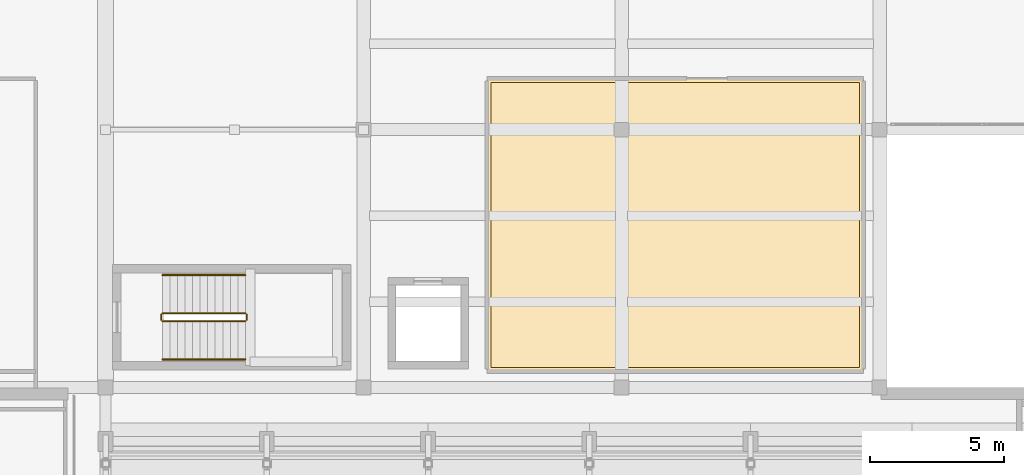
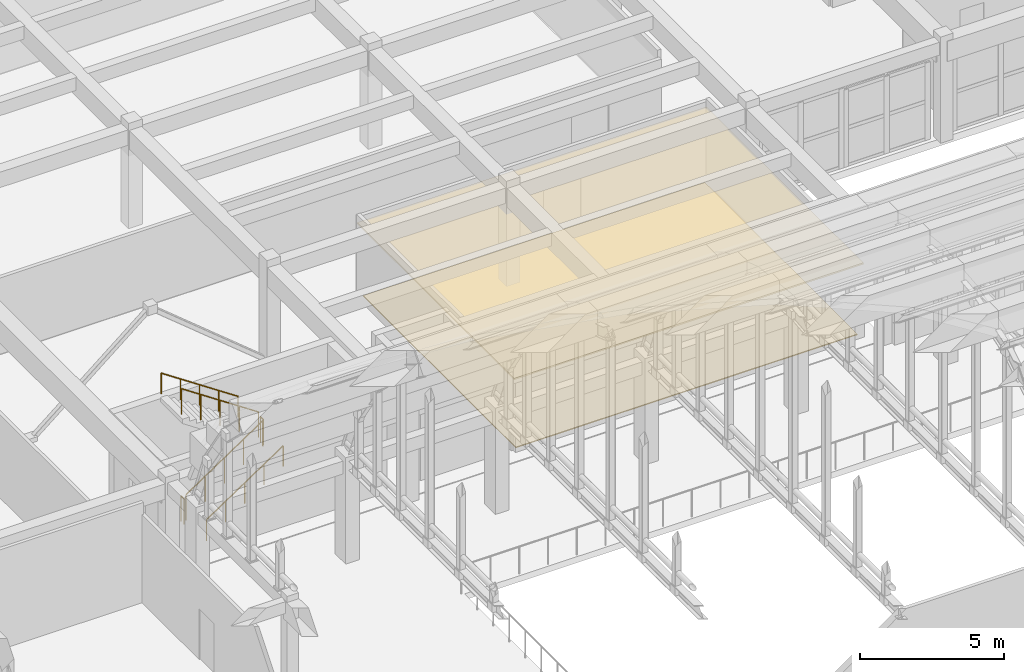
# One storey, part 81 of 91: 6 railings, 2 coverings.
"""IFC4 building model written with IfcOpenShell, lengths in metres."""

from ifc_helpers import new_model, si_unit, direction, frame, origin, origin_2d, place, context, subcontext, project, spatial, polyline, circle, outline, extrude, material, layer, layer_set, type_object, element, save


model = new_model("IFC4")

# Units and contexts
model_context = context("Model", 3, precision=1e-05, world=origin(), true_north=direction((0.0, 1.0)))
body_context = subcontext(model_context, "Body", "Model", "MODEL_VIEW")
ifc_project = project(units=[si_unit("LENGTHUNIT", "METRE"), si_unit("AREAUNIT", "SQUARE_METRE"), si_unit("VOLUMEUNIT", "CUBIC_METRE"), si_unit("PLANEANGLEUNIT", "RADIAN"), si_unit("MASSUNIT", "GRAM", prefix="KILO")], contexts=[model_context])

# Site, building, storey
site_placement = place(None, origin())
site = spatial("IfcSite", under=ifc_project, at=site_placement, CompositionType="ELEMENT")
building_placement = place(site_placement, origin())
building = spatial("IfcBuilding", under=site, at=building_placement, Name="Tarnavel Promenade Courthouse", CompositionType="ELEMENT")
storey_placement = place(building_placement, frame((0.0, 0.0, 9.89990234375)))
storey = spatial("IfcBuildingStorey", under=building, at=storey_placement, Name="L03", CompositionType="ELEMENT", Elevation=9.89990234375)

# Railings
ifc_material_1 = material(Name="Brushed Bronze Tubular Stair Handrail")
railing_type_1 = type_object("IfcRailingType", Name="Brushed Bronze Tubular Stair Handrail (RL-HND-0900)", PredefinedType="HANDRAIL", material=ifc_material_1)
railing_1_placement = place(storey_placement, frame((11.719970703125, 38.25, 0.1875)))
element("IfcRailing", 1, at=railing_1_placement, inside=storey, type_object=railing_type_1, Name="L03 ST-05 stair handrail 1", PredefinedType="HANDRAIL", context=body_context, shape_type="SweptSolid", body=[
    extrude(circle(Radius=0.02392578125, at=origin_2d()), frame((0.0, 0.0, 0.8759765625), z_axis=(0.830913701846, 0.0, 0.55640131208), x_axis=(0.0, 1.0, 0.0)), (0.0, 0.0, 1.0), 3.706787109375),
    extrude(circle(Radius=0.02099609375, at=origin_2d()), origin(), (0.0, 0.0, 1.0), 0.851806640625),
    extrude(circle(Radius=0.02099609375, at=origin_2d()), frame((0.77001953125, 0.0, 0.515625)), (0.0, 0.0, 1.0), 0.851806640625),
    extrude(circle(Radius=0.02099609375, at=origin_2d()), frame((1.5400390625, 0.0, 1.03125)), (0.0, 0.0, 1.0), 0.851806640625),
    extrude(circle(Radius=0.02099609375, at=origin_2d()), frame((2.31005859375, 0.0, 1.546875)), (0.0, 0.0, 1.0), 0.851806640625),
    extrude(circle(Radius=0.02099609375, at=origin_2d()), frame((3.080078125, 0.0, 2.0625)), (0.0, 0.0, 1.0), 0.851806640625),
])
railing_2_placement = place(storey_placement, frame((14.800048828125, 41.389892578125, 2.4375)))
element("IfcRailing", 2, at=railing_2_placement, inside=storey, type_object=railing_type_1, Name="L03 ST-05 stair handrail 2", PredefinedType="HANDRAIL", context=body_context, shape_type="SweptSolid", body=[
    extrude(circle(Radius=0.02392578125, at=origin_2d()), frame((0.0, 0.0, 0.8759765625), z_axis=(-0.830913701846, 0.0, 0.55640131208), x_axis=(0.0, -1.0, 0.0)), (0.0, 0.0, 1.0), 3.706787109375),
    extrude(circle(Radius=0.02099609375, at=origin_2d()), origin(), (0.0, 0.0, 1.0), 0.851806640625),
    extrude(circle(Radius=0.02099609375, at=origin_2d()), frame((-0.77001953125, 0.0, 0.515625)), (0.0, 0.0, 1.0), 0.851806640625),
    extrude(circle(Radius=0.02099609375, at=origin_2d()), frame((-1.5400390625, 0.0, 1.03125)), (0.0, 0.0, 1.0), 0.851806640625),
    extrude(circle(Radius=0.02099609375, at=origin_2d()), frame((-2.31005859375, 0.0, 1.546875)), (0.0, 0.0, 1.0), 0.851806640625),
    extrude(circle(Radius=0.02099609375, at=origin_2d()), frame((-3.080078125, 0.0, 2.0625)), (0.0, 0.0, 1.0), 0.851806640625),
])

# Covering
ifc_material_2 = material(Name="Honed Khoriatis Marble and Terrazzo Civic Flooring", Category="masonry")
ifc_layer_1 = layer(ifc_material_2, 0.0400390625)
ifc_layer_set_1 = layer_set([ifc_layer_1], Name="Honed Khoriatis Marble and Terrazzo Civic Flooring")
covering_type_1 = type_object("IfcCoveringType", Name="Honed Khoriatis Marble and Terrazzo Civic Flooring (COV-FLR-TRZ-40)", PredefinedType="FLOORING", material=ifc_layer_set_1)
covering_1_placement = place(storey_placement, origin())
element("IfcCovering", 3, at=covering_1_placement, inside=storey, type_object=covering_type_1, Name="L03 Law Library Reading Room North Carrels Architectural Flooring 0020", PredefinedType="FLOORING", context=body_context, shape_type="SweptSolid", body=[
    extrude(outline(polyline([(23.949951171875, 37.949951171875), (37.64990234375, 37.949951171875), (37.64990234375, 48.550048828125), (23.949951171875, 48.550048828125), (23.949951171875, 37.949951171875)])), origin(), (0.0, 0.0, 1.0), 0.0400390625),
])

# Railings
ifc_material_3 = material(Name="Painted Architectural Steel Core Stair Guardrail", Category="steel")
railing_type_2 = type_object("IfcRailingType", Name="Painted Architectural Steel Core Stair Guardrail (RL-GRD-1100)", PredefinedType="GUARDRAIL", material=ifc_material_3)
railing_3_placement = place(storey_placement, frame((11.719970703125, 39.669921875, 0.1875)))
element("IfcRailing", 4, at=railing_3_placement, inside=storey, type_object=railing_type_2, Name="L03 ST-05 stair guard 1", PredefinedType="GUARDRAIL", context=body_context, shape_type="SweptSolid", body=[
    extrude(circle(Radius=0.02392578125, at=origin_2d()), frame((0.0, 0.0, 1.076171875), z_axis=(0.830913701846, 0.0, 0.55640131208), x_axis=(0.0, 1.0, 0.0)), (0.0, 0.0, 1.0), 3.706787109375),
    extrude(circle(Radius=0.02099609375, at=origin_2d()), origin(), (0.0, 0.0, 1.0), 1.052001953125),
    extrude(circle(Radius=0.02099609375, at=origin_2d()), frame((0.77001953125, 0.0, 0.515625)), (0.0, 0.0, 1.0), 1.052001953125),
    extrude(circle(Radius=0.02099609375, at=origin_2d()), frame((1.5400390625, 0.0, 1.03125)), (0.0, 0.0, 1.0), 1.052001953125),
    extrude(circle(Radius=0.02099609375, at=origin_2d()), frame((2.31005859375, 0.0, 1.546875)), (0.0, 0.0, 1.0), 1.052001953125),
    extrude(circle(Radius=0.02099609375, at=origin_2d()), frame((3.080078125, 0.0, 2.0625)), (0.0, 0.0, 1.0), 1.052001953125),
])
railing_4_placement = place(storey_placement, frame((14.85009765625, 39.719970703125, 2.25)))
element("IfcRailing", 5, at=railing_4_placement, inside=storey, type_object=railing_type_2, Name="L03 ST-05 stair guard 2", PredefinedType="GUARDRAIL", context=body_context, shape_type="SweptSolid", body=[
    extrude(circle(Radius=0.02392578125, at=origin_2d()), frame((0.0, 0.0, 1.076171875), z_axis=(0.0, 1.0, 0.0), x_axis=(-1.0, 0.0, 0.0)), (0.0, 0.0, 1.0), 0.199951171875),
    extrude(circle(Radius=0.02099609375, at=origin_2d()), origin(), (0.0, 0.0, 1.0), 1.052001953125),
    extrude(circle(Radius=0.02099609375, at=origin_2d()), frame((0.0, 0.199951171875, 0.0)), (0.0, 0.0, 1.0), 1.052001953125),
])
railing_5_placement = place(storey_placement, frame((14.800048828125, 39.969970703125, 2.4375)))
element("IfcRailing", 6, at=railing_5_placement, inside=storey, type_object=railing_type_2, Name="L03 ST-05 stair guard 3", PredefinedType="GUARDRAIL", context=body_context, shape_type="SweptSolid", body=[
    extrude(circle(Radius=0.02392578125, at=origin_2d()), frame((0.0, 0.0, 1.076171875), z_axis=(-0.830913701846, 0.0, 0.55640131208), x_axis=(0.0, -1.0, 0.0)), (0.0, 0.0, 1.0), 3.706787109375),
    extrude(circle(Radius=0.02099609375, at=origin_2d()), origin(), (0.0, 0.0, 1.0), 1.052001953125),
    extrude(circle(Radius=0.02099609375, at=origin_2d()), frame((-0.77001953125, 0.0, 0.515625)), (0.0, 0.0, 1.0), 1.052001953125),
    extrude(circle(Radius=0.02099609375, at=origin_2d()), frame((-1.5400390625, 0.0, 1.03125)), (0.0, 0.0, 1.0), 1.052001953125),
    extrude(circle(Radius=0.02099609375, at=origin_2d()), frame((-2.31005859375, 0.0, 1.546875)), (0.0, 0.0, 1.0), 1.052001953125),
    extrude(circle(Radius=0.02099609375, at=origin_2d()), frame((-3.080078125, 0.0, 2.0625)), (0.0, 0.0, 1.0), 1.052001953125),
])
railing_6_placement = place(storey_placement, frame((11.669921875, 39.719970703125, 0.0)))
element("IfcRailing", 7, at=railing_6_placement, inside=storey, type_object=railing_type_2, Name="L03 ST-05 stair guard 4", PredefinedType="GUARDRAIL", context=body_context, shape_type="SweptSolid", body=[
    extrude(circle(Radius=0.02392578125, at=origin_2d()), frame((0.0, 0.0, 1.076171875), z_axis=(0.0, 1.0, 0.0), x_axis=(-1.0, 0.0, 0.0)), (0.0, 0.0, 1.0), 0.199951171875),
    extrude(circle(Radius=0.02099609375, at=origin_2d()), origin(), (0.0, 0.0, 1.0), 1.052001953125),
    extrude(circle(Radius=0.02099609375, at=origin_2d()), frame((0.0, 0.199951171875, 0.0)), (0.0, 0.0, 1.0), 1.052001953125),
])

# Covering
ifc_material_4 = material(Name="Slatted Acoustic White Oak Baffle Ceiling")
ifc_layer_2 = layer(ifc_material_4, 0.06494140625)
ifc_layer_set_2 = layer_set([ifc_layer_2], Name="Slatted Acoustic White Oak Baffle Ceiling")
covering_type_2 = type_object("IfcCoveringType", Name="Slatted Acoustic White Oak Baffle Ceiling (COV-CLG-OAK-65)", PredefinedType="CEILING", material=ifc_layer_set_2)
covering_2_placement = place(storey_placement, frame((0.0, 0.0, 3.03515625)))
element("IfcCovering", 8, at=covering_2_placement, inside=storey, type_object=covering_type_2, Name="L03 Law Library Reading Room North Carrels Acoustic Ceiling 0020", PredefinedType="CEILING", context=body_context, shape_type="SweptSolid", body=[
    extrude(outline(polyline([(23.800048828125, 37.800048828125), (37.800048828125, 37.800048828125), (37.800048828125, 48.699951171875), (23.800048828125, 48.699951171875), (23.800048828125, 37.800048828125)])), origin(), (0.0, 0.0, 1.0), 0.06494140625),
])

save(model, "model.ifc")
